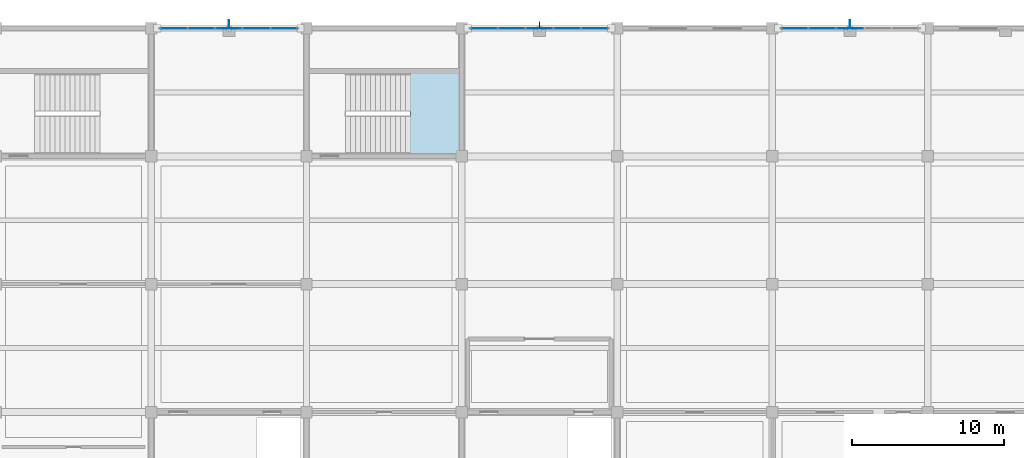
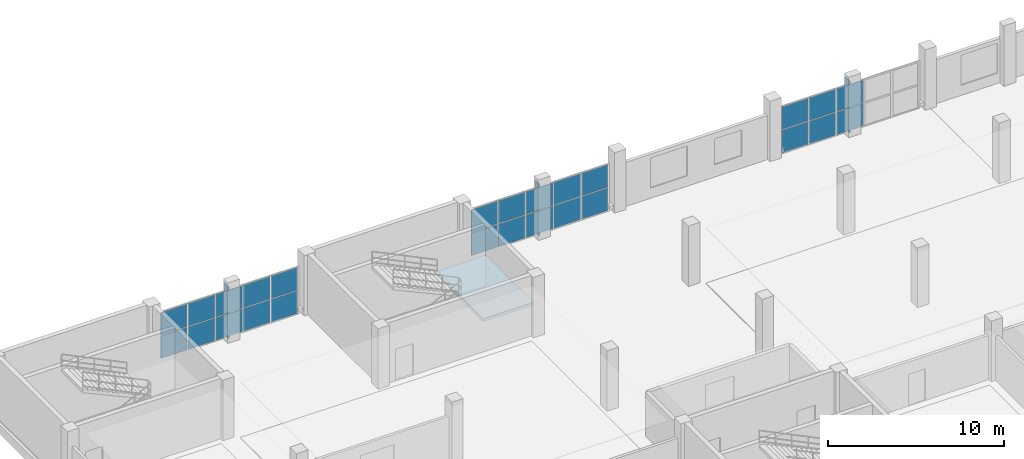
# One storey, part 119 of 157: 29 plates, 1 slab, 4 elements without a shape of their own.
"""IFC4 building model written with IfcOpenShell, lengths in metres."""

from ifc_helpers import new_model, si_unit, direction, frame, origin, origin_2d, place, context, subcontext, project, spatial, polyline, rectangle, outline, extrude, material, layer, layer_set, type_object, element, aggregate, save


model = new_model("IFC4")

# Units and contexts
model_context = context("Model", 3, precision=1e-05, world=origin(), true_north=direction((0.0, 1.0)))
body_context = subcontext(model_context, "Body", "Model", "MODEL_VIEW")
ifc_project = project(units=[si_unit("LENGTHUNIT", "METRE"), si_unit("AREAUNIT", "SQUARE_METRE"), si_unit("VOLUMEUNIT", "CUBIC_METRE"), si_unit("PLANEANGLEUNIT", "RADIAN"), si_unit("MASSUNIT", "GRAM", prefix="KILO")], contexts=[model_context])

# Site, building, storey
site_placement = place(None, origin())
site = spatial("IfcSite", under=ifc_project, at=site_placement, CompositionType="ELEMENT")
building_placement = place(site_placement, origin())
building = spatial("IfcBuilding", under=site, at=building_placement, Name="Brelvane Convention Centre", CompositionType="ELEMENT")
storey_placement = place(building_placement, frame((0.0, 0.0, 10.800048828125)))
storey = spatial("IfcBuildingStorey", under=building, at=storey_placement, Name="L02", CompositionType="ELEMENT", Elevation=10.800048828125)

# Curtain wall, plates
ifc_material_1 = material(Name="Anodised Aluminium Alloy 6063-T6", Category="aluminium")
curtain_wall_type = type_object("IfcCurtainWallType", Name="Curtain Wall CW-BOUL", PredefinedType="USERDEFINED", material=ifc_material_1)
curtain_wall_1_placement = place(storey_placement, origin())
curtain_wall_1 = element("IfcCurtainWall", 1, at=curtain_wall_1_placement, inside=storey, type_object=curtain_wall_type, Name="Curtain Wall CW-BOUL L02-V4N-02", ObjectType="UNITISED", PredefinedType="USERDEFINED")
ifc_material_2 = material(Name="Double Glazed Low-E Laminated Unit")
ifc_layer_1 = layer(ifc_material_2, 0.0380859375)
ifc_layer_set_1 = layer_set([ifc_layer_1], Name="Double Glazed Low-E Laminated Unit")
plate_type_1 = type_object("IfcPlateType", Name="Curtain Panel CW-PG2", PredefinedType="CURTAIN_PANEL", material=ifc_layer_set_1)
plate_1_placement = place(storey_placement, frame((11.67626953125, 144.0, 0.059814453125), z_axis=(0.0, 0.0, 1.0), x_axis=(1.0, 0.0, 0.0)))
plate_1 = element("IfcPlate", 2, at=plate_1_placement, type_object=plate_type_1, Name="CW-BOUL panel 1.1", PredefinedType="CURTAIN_PANEL", context=body_context, shape_type="SweptSolid", body=[
    extrude(rectangle(XDim=1.722412109375, YDim=0.0380859375, at=origin_2d()), origin(), (0.0, 0.0, 1.0), 1.56005859375),
])
plate_2_placement = place(storey_placement, frame((11.67626953125, 144.0, 1.679931640625), z_axis=(0.0, 0.0, 1.0), x_axis=(1.0, 0.0, 0.0)))
plate_2 = element("IfcPlate", 3, at=plate_2_placement, type_object=plate_type_1, Name="CW-BOUL panel 1.2", PredefinedType="CURTAIN_PANEL", context=body_context, shape_type="SweptSolid", body=[
    extrude(rectangle(XDim=1.722412109375, YDim=0.0380859375, at=origin_2d()), origin(), (0.0, 0.0, 1.0), 1.56005859375),
])
plate_3_placement = place(storey_placement, frame((13.47998046875, 144.0, 0.059814453125), z_axis=(0.0, 0.0, 1.0), x_axis=(1.0, 0.0, 0.0)))
plate_3 = element("IfcPlate", 4, at=plate_3_placement, type_object=plate_type_1, Name="CW-BOUL panel 2.1", PredefinedType="CURTAIN_PANEL", context=body_context, shape_type="SweptSolid", body=[
    extrude(rectangle(XDim=1.7548828125, YDim=0.0380859375, at=origin_2d()), origin(), (0.0, 0.0, 1.0), 1.56005859375),
])
plate_4_placement = place(storey_placement, frame((13.47998046875, 144.0, 1.679931640625), z_axis=(0.0, 0.0, 1.0), x_axis=(1.0, 0.0, 0.0)))
plate_4 = element("IfcPlate", 5, at=plate_4_placement, type_object=plate_type_1, Name="CW-BOUL panel 2.2", PredefinedType="CURTAIN_PANEL", context=body_context, shape_type="SweptSolid", body=[
    extrude(rectangle(XDim=1.7548828125, YDim=0.0380859375, at=origin_2d()), origin(), (0.0, 0.0, 1.0), 1.56005859375),
])
plate_5_placement = place(storey_placement, frame((15.300048828125, 144.0, 0.059814453125), z_axis=(0.0, 0.0, 1.0), x_axis=(1.0, 0.0, 0.0)))
plate_5 = element("IfcPlate", 6, at=plate_5_placement, type_object=plate_type_1, Name="CW-BOUL panel 3.1", PredefinedType="CURTAIN_PANEL", context=body_context, shape_type="SweptSolid", body=[
    extrude(rectangle(XDim=1.7548828125, YDim=0.0380859375, at=origin_2d()), origin(), (0.0, 0.0, 1.0), 1.56005859375),
])
plate_6_placement = place(storey_placement, frame((15.300048828125, 144.0, 1.679931640625), z_axis=(0.0, 0.0, 1.0), x_axis=(1.0, 0.0, 0.0)))
plate_6 = element("IfcPlate", 7, at=plate_6_placement, type_object=plate_type_1, Name="CW-BOUL panel 3.2", PredefinedType="CURTAIN_PANEL", context=body_context, shape_type="SweptSolid", body=[
    extrude(rectangle(XDim=1.7548828125, YDim=0.0380859375, at=origin_2d()), origin(), (0.0, 0.0, 1.0), 1.56005859375),
])
plate_7_placement = place(storey_placement, frame((17.1201171875, 144.0, 0.059814453125), z_axis=(0.0, 0.0, 1.0), x_axis=(1.0, 0.0, 0.0)))
plate_7 = element("IfcPlate", 8, at=plate_7_placement, type_object=plate_type_1, Name="CW-BOUL panel 4.1", PredefinedType="CURTAIN_PANEL", context=body_context, shape_type="SweptSolid", body=[
    extrude(rectangle(XDim=1.7548828125, YDim=0.0380859375, at=origin_2d()), origin(), (0.0, 0.0, 1.0), 1.56005859375),
])
plate_8_placement = place(storey_placement, frame((17.1201171875, 144.0, 1.679931640625), z_axis=(0.0, 0.0, 1.0), x_axis=(1.0, 0.0, 0.0)))
plate_8 = element("IfcPlate", 9, at=plate_8_placement, type_object=plate_type_1, Name="CW-BOUL panel 4.2", PredefinedType="CURTAIN_PANEL", context=body_context, shape_type="SweptSolid", body=[
    extrude(rectangle(XDim=1.7548828125, YDim=0.0380859375, at=origin_2d()), origin(), (0.0, 0.0, 1.0), 1.56005859375),
])
plate_9_placement = place(storey_placement, frame((18.923828125, 144.0, 0.059814453125), z_axis=(0.0, 0.0, 1.0), x_axis=(1.0, 0.0, 0.0)))
plate_9 = element("IfcPlate", 10, at=plate_9_placement, type_object=plate_type_1, Name="CW-BOUL panel 5.1", PredefinedType="CURTAIN_PANEL", context=body_context, shape_type="SweptSolid", body=[
    extrude(rectangle(XDim=1.722412109375, YDim=0.0380859375, at=origin_2d()), origin(), (0.0, 0.0, 1.0), 1.56005859375),
])
plate_10_placement = place(storey_placement, frame((18.923828125, 144.0, 1.679931640625), z_axis=(0.0, 0.0, 1.0), x_axis=(1.0, 0.0, 0.0)))
plate_10 = element("IfcPlate", 11, at=plate_10_placement, type_object=plate_type_1, Name="CW-BOUL panel 5.2", PredefinedType="CURTAIN_PANEL", context=body_context, shape_type="SweptSolid", body=[
    extrude(rectangle(XDim=1.722412109375, YDim=0.0380859375, at=origin_2d()), origin(), (0.0, 0.0, 1.0), 1.56005859375),
])
aggregate(curtain_wall_1, [plate_1, plate_2, plate_3, plate_4, plate_5, plate_6, plate_7, plate_8, plate_9, plate_10])

curtain_wall_2_placement = place(storey_placement, origin())
curtain_wall_2 = element("IfcCurtainWall", 12, at=curtain_wall_2_placement, inside=storey, type_object=curtain_wall_type, Name="Curtain Wall CW-BOUL L02-V4N-04", ObjectType="UNITISED", PredefinedType="USERDEFINED")
plate_11_placement = place(storey_placement, frame((32.076171875, 144.0, 0.059814453125), z_axis=(0.0, 0.0, 1.0), x_axis=(1.0, 0.0, 0.0)))
plate_11 = element("IfcPlate", 13, at=plate_11_placement, type_object=plate_type_1, Name="CW-BOUL panel 1.1", PredefinedType="CURTAIN_PANEL", context=body_context, shape_type="SweptSolid", body=[
    extrude(rectangle(XDim=1.722412109375, YDim=0.0380859375, at=origin_2d()), origin(), (0.0, 0.0, 1.0), 1.56005859375),
])
plate_12_placement = place(storey_placement, frame((32.076171875, 144.0, 1.679931640625), z_axis=(0.0, 0.0, 1.0), x_axis=(1.0, 0.0, 0.0)))
plate_12 = element("IfcPlate", 14, at=plate_12_placement, type_object=plate_type_1, Name="CW-BOUL panel 1.2", PredefinedType="CURTAIN_PANEL", context=body_context, shape_type="SweptSolid", body=[
    extrude(rectangle(XDim=1.722412109375, YDim=0.0380859375, at=origin_2d()), origin(), (0.0, 0.0, 1.0), 1.56005859375),
])
plate_13_placement = place(storey_placement, frame((33.8798828125, 144.0, 0.059814453125), z_axis=(0.0, 0.0, 1.0), x_axis=(1.0, 0.0, 0.0)))
plate_13 = element("IfcPlate", 15, at=plate_13_placement, type_object=plate_type_1, Name="CW-BOUL panel 2.1", PredefinedType="CURTAIN_PANEL", context=body_context, shape_type="SweptSolid", body=[
    extrude(rectangle(XDim=1.7548828125, YDim=0.0380859375, at=origin_2d()), origin(), (0.0, 0.0, 1.0), 1.56005859375),
])
plate_14_placement = place(storey_placement, frame((33.8798828125, 144.0, 1.679931640625), z_axis=(0.0, 0.0, 1.0), x_axis=(1.0, 0.0, 0.0)))
plate_14 = element("IfcPlate", 16, at=plate_14_placement, type_object=plate_type_1, Name="CW-BOUL panel 2.2", PredefinedType="CURTAIN_PANEL", context=body_context, shape_type="SweptSolid", body=[
    extrude(rectangle(XDim=1.7548828125, YDim=0.0380859375, at=origin_2d()), origin(), (0.0, 0.0, 1.0), 1.56005859375),
])
plate_15_placement = place(storey_placement, frame((35.699951171875, 144.0, 0.059814453125), z_axis=(0.0, 0.0, 1.0), x_axis=(1.0, 0.0, 0.0)))
plate_15 = element("IfcPlate", 17, at=plate_15_placement, type_object=plate_type_1, Name="CW-BOUL panel 3.1", PredefinedType="CURTAIN_PANEL", context=body_context, shape_type="SweptSolid", body=[
    extrude(rectangle(XDim=1.7548828125, YDim=0.0380859375, at=origin_2d()), origin(), (0.0, 0.0, 1.0), 1.56005859375),
])
plate_16_placement = place(storey_placement, frame((35.699951171875, 144.0, 1.679931640625), z_axis=(0.0, 0.0, 1.0), x_axis=(1.0, 0.0, 0.0)))
plate_16 = element("IfcPlate", 18, at=plate_16_placement, type_object=plate_type_1, Name="CW-BOUL panel 3.2", PredefinedType="CURTAIN_PANEL", context=body_context, shape_type="SweptSolid", body=[
    extrude(rectangle(XDim=1.7548828125, YDim=0.0380859375, at=origin_2d()), origin(), (0.0, 0.0, 1.0), 1.56005859375),
])
plate_17_placement = place(storey_placement, frame((37.52001953125, 144.0, 0.059814453125), z_axis=(0.0, 0.0, 1.0), x_axis=(1.0, 0.0, 0.0)))
plate_17 = element("IfcPlate", 19, at=plate_17_placement, type_object=plate_type_1, Name="CW-BOUL panel 4.1", PredefinedType="CURTAIN_PANEL", context=body_context, shape_type="SweptSolid", body=[
    extrude(rectangle(XDim=1.7548828125, YDim=0.0380859375, at=origin_2d()), origin(), (0.0, 0.0, 1.0), 1.56005859375),
])
plate_18_placement = place(storey_placement, frame((37.52001953125, 144.0, 1.679931640625), z_axis=(0.0, 0.0, 1.0), x_axis=(1.0, 0.0, 0.0)))
plate_18 = element("IfcPlate", 20, at=plate_18_placement, type_object=plate_type_1, Name="CW-BOUL panel 4.2", PredefinedType="CURTAIN_PANEL", context=body_context, shape_type="SweptSolid", body=[
    extrude(rectangle(XDim=1.7548828125, YDim=0.0380859375, at=origin_2d()), origin(), (0.0, 0.0, 1.0), 1.56005859375),
])
plate_19_placement = place(storey_placement, frame((39.32373046875, 144.0, 0.059814453125), z_axis=(0.0, 0.0, 1.0), x_axis=(1.0, 0.0, 0.0)))
plate_19 = element("IfcPlate", 21, at=plate_19_placement, type_object=plate_type_1, Name="CW-BOUL panel 5.1", PredefinedType="CURTAIN_PANEL", context=body_context, shape_type="SweptSolid", body=[
    extrude(rectangle(XDim=1.722412109375, YDim=0.0380859375, at=origin_2d()), origin(), (0.0, 0.0, 1.0), 1.56005859375),
])
plate_20_placement = place(storey_placement, frame((39.32373046875, 144.0, 1.679931640625), z_axis=(0.0, 0.0, 1.0), x_axis=(1.0, 0.0, 0.0)))
plate_20 = element("IfcPlate", 22, at=plate_20_placement, type_object=plate_type_1, Name="CW-BOUL panel 5.2", PredefinedType="CURTAIN_PANEL", context=body_context, shape_type="SweptSolid", body=[
    extrude(rectangle(XDim=1.722412109375, YDim=0.0380859375, at=origin_2d()), origin(), (0.0, 0.0, 1.0), 1.56005859375),
])
aggregate(curtain_wall_2, [plate_11, plate_12, plate_13, plate_14, plate_15, plate_16, plate_17, plate_18, plate_19, plate_20])

curtain_wall_3_placement = place(storey_placement, origin())
curtain_wall_3 = element("IfcCurtainWall", 23, at=curtain_wall_3_placement, inside=storey, type_object=curtain_wall_type, Name="Curtain Wall CW-BOUL L02-V4N-06", ObjectType="UNITISED", PredefinedType="USERDEFINED")
plate_21_placement = place(storey_placement, frame((52.476318359375, 144.0, 0.059814453125), z_axis=(0.0, 0.0, 1.0), x_axis=(1.0, 0.0, 0.0)))
plate_21 = element("IfcPlate", 24, at=plate_21_placement, type_object=plate_type_1, Name="CW-BOUL panel 1.1", PredefinedType="CURTAIN_PANEL", context=body_context, shape_type="SweptSolid", body=[
    extrude(rectangle(XDim=1.722412109375, YDim=0.0380859375, at=origin_2d()), origin(), (0.0, 0.0, 1.0), 1.56005859375),
])
plate_22_placement = place(storey_placement, frame((52.476318359375, 144.0, 1.679931640625), z_axis=(0.0, 0.0, 1.0), x_axis=(1.0, 0.0, 0.0)))
plate_22 = element("IfcPlate", 25, at=plate_22_placement, type_object=plate_type_1, Name="CW-BOUL panel 1.2", PredefinedType="CURTAIN_PANEL", context=body_context, shape_type="SweptSolid", body=[
    extrude(rectangle(XDim=1.722412109375, YDim=0.0380859375, at=origin_2d()), origin(), (0.0, 0.0, 1.0), 1.56005859375),
])
plate_23_placement = place(storey_placement, frame((54.280029296875, 144.0, 0.059814453125), z_axis=(0.0, 0.0, 1.0), x_axis=(1.0, 0.0, 0.0)))
plate_23 = element("IfcPlate", 26, at=plate_23_placement, type_object=plate_type_1, Name="CW-BOUL panel 2.1", PredefinedType="CURTAIN_PANEL", context=body_context, shape_type="SweptSolid", body=[
    extrude(rectangle(XDim=1.7548828125, YDim=0.0380859375, at=origin_2d()), origin(), (0.0, 0.0, 1.0), 1.56005859375),
])
plate_24_placement = place(storey_placement, frame((54.280029296875, 144.0, 1.679931640625), z_axis=(0.0, 0.0, 1.0), x_axis=(1.0, 0.0, 0.0)))
plate_24 = element("IfcPlate", 27, at=plate_24_placement, type_object=plate_type_1, Name="CW-BOUL panel 2.2", PredefinedType="CURTAIN_PANEL", context=body_context, shape_type="SweptSolid", body=[
    extrude(rectangle(XDim=1.7548828125, YDim=0.0380859375, at=origin_2d()), origin(), (0.0, 0.0, 1.0), 1.56005859375),
])
plate_25_placement = place(storey_placement, frame((56.10009765625, 144.0, 0.059814453125), z_axis=(0.0, 0.0, 1.0), x_axis=(1.0, 0.0, 0.0)))
plate_25 = element("IfcPlate", 28, at=plate_25_placement, type_object=plate_type_1, Name="CW-BOUL panel 3.1", PredefinedType="CURTAIN_PANEL", context=body_context, shape_type="SweptSolid", body=[
    extrude(rectangle(XDim=1.7548828125, YDim=0.0380859375, at=origin_2d()), origin(), (0.0, 0.0, 1.0), 1.56005859375),
])
plate_26_placement = place(storey_placement, frame((56.10009765625, 144.0, 1.679931640625), z_axis=(0.0, 0.0, 1.0), x_axis=(1.0, 0.0, 0.0)))
plate_26 = element("IfcPlate", 29, at=plate_26_placement, type_object=plate_type_1, Name="CW-BOUL panel 3.2", PredefinedType="CURTAIN_PANEL", context=body_context, shape_type="SweptSolid", body=[
    extrude(rectangle(XDim=1.7548828125, YDim=0.0380859375, at=origin_2d()), origin(), (0.0, 0.0, 1.0), 1.56005859375),
])
aggregate(curtain_wall_3, [plate_21, plate_22, plate_23, plate_24, plate_25, plate_26])

# Plates
ifc_material_3 = material(Name="Patinated Copper-Bronze Alloy C22000")
ifc_layer_2 = layer(ifc_material_3, 0.0400390625)
ifc_layer_set_2 = layer_set([ifc_layer_2], Name="Patinated Copper-Bronze Alloy C22000")
plate_type_2 = type_object("IfcPlateType", Name="Monsoon Sun Fin FN-CU1", PredefinedType="USERDEFINED", material=ifc_layer_set_2)
plate_27_placement = place(storey_placement, frame((35.699951171875, 144.22509765625, -0.150146484375), z_axis=(0.0, 0.0, 1.0), x_axis=(1.0, 0.0, 0.0)))
element("IfcPlate", 30, at=plate_27_placement, inside=storey, type_object=plate_type_2, Name="Rear Wing Monsoon Sun Fin L02-F4", ObjectType="SHADING_DEVICE", PredefinedType="USERDEFINED", context=body_context, shape_type="SweptSolid", body=[
    extrude(rectangle(XDim=0.0400390625, YDim=0.449951171875, at=origin_2d()), origin(), (0.0, 0.0, 1.0), 3.60009765625),
])
ifc_material_4 = material(Name="Patinated Copper-Bronze Alloy C22000")
ifc_layer_3 = layer(ifc_material_4, 0.044921875)
ifc_layer_set_3 = layer_set([ifc_layer_3], Name="Patinated Copper-Bronze Alloy C22000")
plate_type_3 = type_object("IfcPlateType", Name="Monsoon Sun Fin FN-CU2", PredefinedType="USERDEFINED", material=ifc_layer_set_3)
for number, where, z_axis, x_axis, name in (
    (31, (15.300048828125, 144.27490234375, -0.150146484375), (0.0, 0.0, 1.0), (1.0, 0.0, 0.0), "Rear Wing Monsoon Sun Fin L02-F2"),
    (32, (56.10009765625, 144.27490234375, -0.150146484375), (0.0, 0.0, 1.0), (1.0, 0.0, 0.0), "Rear Wing Monsoon Sun Fin L02-F6"),
):
    element("IfcPlate", number, at=place(storey_placement, frame(where, z_axis=z_axis, x_axis=x_axis)), inside=storey, type_object=plate_type_3, Name=name, ObjectType="SHADING_DEVICE", PredefinedType="USERDEFINED", context=body_context, shape_type="SweptSolid", body=[
        extrude(rectangle(XDim=0.044921875, YDim=0.550048828125, at=origin_2d()), origin(), (0.0, 0.0, 1.0), 3.60009765625),
    ])

# Stair, slab
ifc_material_5 = material(Name="Concrete M40", Category="concrete")
stair_type = type_object("IfcStairType", Name="Exit Stair ST-CORE", PredefinedType="HALF_TURN_STAIR", material=ifc_material_5)
stair_placement = place(storey_placement, origin())
stair = element("IfcStair", 33, at=stair_placement, inside=storey, type_object=stair_type, Name="Exit Stair ST-13 (L02 to L03)", PredefinedType="HALF_TURN_STAIR")
ifc_material_6 = material(Name="Concrete M40", Category="concrete")
ifc_layer_4 = layer(ifc_material_6, 0.199951171875)
ifc_layer_set_4 = layer_set([ifc_layer_4], Name="Concrete M40")
slab_type = type_object("IfcSlabType", Name="Stair Landing SL-LND-200", PredefinedType="LANDING", material=ifc_layer_set_4)
slab_placement = place(storey_placement, frame((0.0, 0.0, 1.89990234375)))
slab = element("IfcSlab", 34, at=slab_placement, type_object=slab_type, Name="Stair ST-13 L02 Half Landing", PredefinedType="LANDING", context=body_context, shape_type="SweptSolid", body=[
    extrude(outline(polyline([(27.2099609375, 135.679931640625), (30.52001953125, 135.679931640625), (30.52001953125, 141.1201171875), (27.2099609375, 141.1201171875), (27.2099609375, 135.679931640625)])), origin(), (0.0, 0.0, 1.0), 0.199951171875),
])
aggregate(stair, [slab])

save(model, "model.ifc")
